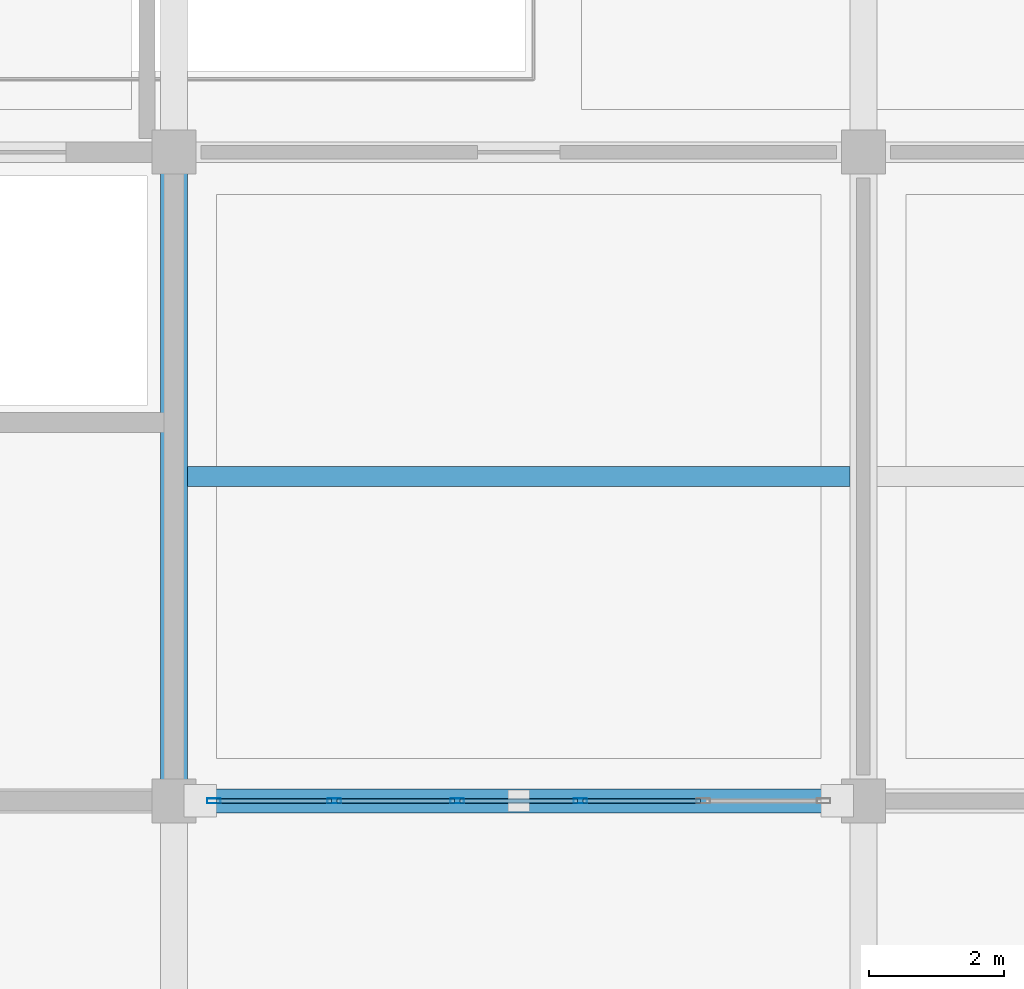
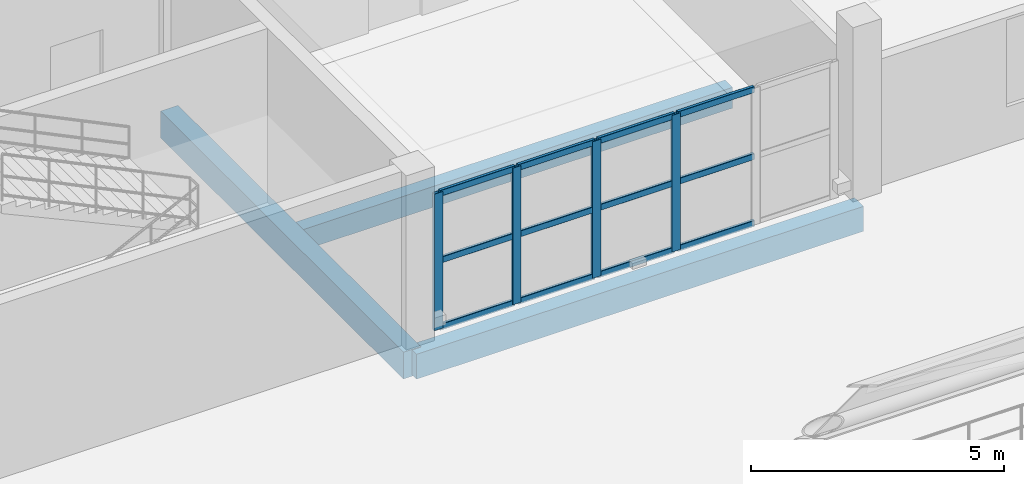
# One storey, part 34 of 135: 16 members, 3 beams, 1 element without a shape of its own.
"""IFC4 building model written with IfcOpenShell, lengths in metres."""

from ifc_helpers import new_model, si_unit, direction, frame, origin, origin_2d, place, context, subcontext, project, spatial, rectangle, hollow_rectangle, extrude, material, material_profile, profile_set, type_object, element, aggregate, save


model = new_model("IFC4")

# Units and contexts
model_context = context("Model", 3, precision=1e-05, world=origin(), true_north=direction((0.0, 1.0)))
body_context = subcontext(model_context, "Body", "Model", "MODEL_VIEW")
ifc_project = project(units=[si_unit("LENGTHUNIT", "METRE"), si_unit("AREAUNIT", "SQUARE_METRE"), si_unit("VOLUMEUNIT", "CUBIC_METRE"), si_unit("PLANEANGLEUNIT", "RADIAN"), si_unit("MASSUNIT", "GRAM", prefix="KILO")], contexts=[model_context])

# Site, building, storey
site_placement = place(None, origin())
site = spatial("IfcSite", under=ifc_project, at=site_placement, CompositionType="ELEMENT")
building_placement = place(site_placement, origin())
building = spatial("IfcBuilding", under=site, at=building_placement, Name="Brelvane Convention Centre", CompositionType="ELEMENT")
storey_placement = place(building_placement, frame((0.0, 0.0, 15.0)))
storey = spatial("IfcBuildingStorey", under=building, at=storey_placement, Name="L03", CompositionType="ELEMENT", Elevation=15.0)

# Curtain wall, members
ifc_material_1 = material(Name="Anodised Aluminium Alloy 6063-T6", Category="aluminium")
curtain_wall_type = type_object("IfcCurtainWallType", Name="Curtain Wall CW-COURT", PredefinedType="USERDEFINED", material=ifc_material_1)
curtain_wall_placement = place(storey_placement, origin())
curtain_wall = element("IfcCurtainWall", 1, at=curtain_wall_placement, inside=storey, type_object=curtain_wall_type, Name="Curtain Wall CW-COURT L03-V4S-05", ObjectType="UNITISED", PredefinedType="USERDEFINED")
ifc_material_2 = material(Name="Anodised Aluminium Alloy 6063-T6", Category="aluminium")
ifc_material_profile_1 = material_profile(ifc_material_2, hollow_rectangle(XDim=0.074951171875, YDim=0.199951171875, WallThickness=0.0048828125, InnerFilletRadius=0.0048828125, OuterFilletRadius=0.010009765625, at=origin_2d()), Name="ALU-M 200x75x5.0")
ifc_profile_set_1 = profile_set([ifc_material_profile_1], Name="Anodised Aluminium Alloy 6063-T6")
member_type_1 = type_object("IfcMemberType", Name="Curtain Mullion CW-M2", PredefinedType="MULLION", material=ifc_profile_set_1)
member_1_placement = place(storey_placement, frame((41.387451171875, 109.199951171875, 0.0), z_axis=(0.0, 0.0, 1.0), x_axis=(0.0, 1.0, 0.0)))
member_1 = element("IfcMember", 2, at=member_1_placement, type_object=member_type_1, Name="CW-COURT mullion 1", PredefinedType="MULLION", context=body_context, shape_type="SweptSolid", body=[
    extrude(hollow_rectangle(XDim=0.074951171875, YDim=0.199951171875, WallThickness=0.0048828125, InnerFilletRadius=0.0048828125, OuterFilletRadius=0.010009765625, at=origin_2d()), origin(), (0.0, 0.0, 1.0), 3.300048828125),
])
member_2_placement = place(storey_placement, frame((43.169921875, 109.199951171875, 0.0), z_axis=(0.0, 0.0, 1.0), x_axis=(0.0, 1.0, 0.0)))
member_2 = element("IfcMember", 3, at=member_2_placement, type_object=member_type_1, Name="CW-COURT mullion 2", PredefinedType="MULLION", context=body_context, shape_type="SweptSolid", body=[
    extrude(hollow_rectangle(XDim=0.074951171875, YDim=0.199951171875, WallThickness=0.0048828125, InnerFilletRadius=0.0048828125, OuterFilletRadius=0.010009765625, at=origin_2d()), origin(), (0.0, 0.0, 1.0), 3.300048828125),
])
member_3_placement = place(storey_placement, frame((44.989990234375, 109.199951171875, 0.0), z_axis=(0.0, 0.0, 1.0), x_axis=(0.0, 1.0, 0.0)))
member_3 = element("IfcMember", 4, at=member_3_placement, type_object=member_type_1, Name="CW-COURT mullion 3", PredefinedType="MULLION", context=body_context, shape_type="SweptSolid", body=[
    extrude(hollow_rectangle(XDim=0.074951171875, YDim=0.199951171875, WallThickness=0.0048828125, InnerFilletRadius=0.0048828125, OuterFilletRadius=0.010009765625, at=origin_2d()), origin(), (0.0, 0.0, 1.0), 3.300048828125),
])
member_4_placement = place(storey_placement, frame((46.81005859375, 109.199951171875, 0.0), z_axis=(0.0, 0.0, 1.0), x_axis=(0.0, 1.0, 0.0)))
member_4 = element("IfcMember", 5, at=member_4_placement, type_object=member_type_1, Name="CW-COURT mullion 4", PredefinedType="MULLION", context=body_context, shape_type="SweptSolid", body=[
    extrude(hollow_rectangle(XDim=0.074951171875, YDim=0.199951171875, WallThickness=0.0048828125, InnerFilletRadius=0.0048828125, OuterFilletRadius=0.010009765625, at=origin_2d()), origin(), (0.0, 0.0, 1.0), 3.300048828125),
])
ifc_material_3 = material(Name="Anodised Aluminium Alloy 6063-T6", Category="aluminium")
ifc_material_profile_2 = material_profile(ifc_material_3, hollow_rectangle(XDim=0.070068359375, YDim=0.14990234375, WallThickness=0.00439453125, InnerFilletRadius=0.00439453125, OuterFilletRadius=0.009033203125, at=origin_2d()), Name="ALU-T 150x70x4.5")
ifc_profile_set_2 = profile_set([ifc_material_profile_2], Name="Anodised Aluminium Alloy 6063-T6")
member_type_2 = type_object("IfcMemberType", Name="Curtain Transom CW-T2", PredefinedType="USERDEFINED", material=ifc_profile_set_2)
member_5_placement = place(storey_placement, frame((41.425048828125, 109.199951171875, 0.034912109375), z_axis=(1.0, 0.0, 0.0), x_axis=(0.0, 1.0, 0.0)))
member_5 = element("IfcMember", 6, at=member_5_placement, type_object=member_type_2, Name="CW-COURT transom 1.1", ObjectType="TRANSOM", PredefinedType="USERDEFINED", context=body_context, shape_type="SweptSolid", body=[
    extrude(hollow_rectangle(XDim=0.070068359375, YDim=0.14990234375, WallThickness=0.00439453125, InnerFilletRadius=0.00439453125, OuterFilletRadius=0.009033203125, at=origin_2d()), origin(), (0.0, 0.0, 1.0), 1.70751953125),
])
member_6_placement = place(storey_placement, frame((41.425048828125, 109.199951171875, 1.64990234375), z_axis=(1.0, 0.0, 0.0), x_axis=(0.0, 1.0, 0.0)))
member_6 = element("IfcMember", 7, at=member_6_placement, type_object=member_type_2, Name="CW-COURT transom 1.2", ObjectType="TRANSOM", PredefinedType="USERDEFINED", context=body_context, shape_type="SweptSolid", body=[
    extrude(hollow_rectangle(XDim=0.070068359375, YDim=0.14990234375, WallThickness=0.00439453125, InnerFilletRadius=0.00439453125, OuterFilletRadius=0.009033203125, at=origin_2d()), origin(), (0.0, 0.0, 1.0), 1.70751953125),
])
member_7_placement = place(storey_placement, frame((41.425048828125, 109.199951171875, 3.264892578125), z_axis=(1.0, 0.0, 0.0), x_axis=(0.0, 1.0, 0.0)))
member_7 = element("IfcMember", 8, at=member_7_placement, type_object=member_type_2, Name="CW-COURT transom 1.3", ObjectType="TRANSOM", PredefinedType="USERDEFINED", context=body_context, shape_type="SweptSolid", body=[
    extrude(hollow_rectangle(XDim=0.070068359375, YDim=0.14990234375, WallThickness=0.00439453125, InnerFilletRadius=0.00439453125, OuterFilletRadius=0.009033203125, at=origin_2d()), origin(), (0.0, 0.0, 1.0), 1.70751953125),
])
member_8_placement = place(storey_placement, frame((43.20751953125, 109.199951171875, 0.034912109375), z_axis=(1.0, 0.0, 0.0), x_axis=(0.0, 1.0, 0.0)))
member_8 = element("IfcMember", 9, at=member_8_placement, type_object=member_type_2, Name="CW-COURT transom 2.1", ObjectType="TRANSOM", PredefinedType="USERDEFINED", context=body_context, shape_type="SweptSolid", body=[
    extrude(hollow_rectangle(XDim=0.070068359375, YDim=0.14990234375, WallThickness=0.00439453125, InnerFilletRadius=0.00439453125, OuterFilletRadius=0.009033203125, at=origin_2d()), origin(), (0.0, 0.0, 1.0), 1.744873046875),
])
member_9_placement = place(storey_placement, frame((43.20751953125, 109.199951171875, 1.64990234375), z_axis=(1.0, 0.0, 0.0), x_axis=(0.0, 1.0, 0.0)))
member_9 = element("IfcMember", 10, at=member_9_placement, type_object=member_type_2, Name="CW-COURT transom 2.2", ObjectType="TRANSOM", PredefinedType="USERDEFINED", context=body_context, shape_type="SweptSolid", body=[
    extrude(hollow_rectangle(XDim=0.070068359375, YDim=0.14990234375, WallThickness=0.00439453125, InnerFilletRadius=0.00439453125, OuterFilletRadius=0.009033203125, at=origin_2d()), origin(), (0.0, 0.0, 1.0), 1.744873046875),
])
member_10_placement = place(storey_placement, frame((43.20751953125, 109.199951171875, 3.264892578125), z_axis=(1.0, 0.0, 0.0), x_axis=(0.0, 1.0, 0.0)))
member_10 = element("IfcMember", 11, at=member_10_placement, type_object=member_type_2, Name="CW-COURT transom 2.3", ObjectType="TRANSOM", PredefinedType="USERDEFINED", context=body_context, shape_type="SweptSolid", body=[
    extrude(hollow_rectangle(XDim=0.070068359375, YDim=0.14990234375, WallThickness=0.00439453125, InnerFilletRadius=0.00439453125, OuterFilletRadius=0.009033203125, at=origin_2d()), origin(), (0.0, 0.0, 1.0), 1.744873046875),
])
member_11_placement = place(storey_placement, frame((45.027587890625, 109.199951171875, 0.034912109375), z_axis=(1.0, 0.0, 0.0), x_axis=(0.0, 1.0, 0.0)))
member_11 = element("IfcMember", 12, at=member_11_placement, type_object=member_type_2, Name="CW-COURT transom 3.1", ObjectType="TRANSOM", PredefinedType="USERDEFINED", context=body_context, shape_type="SweptSolid", body=[
    extrude(hollow_rectangle(XDim=0.070068359375, YDim=0.14990234375, WallThickness=0.00439453125, InnerFilletRadius=0.00439453125, OuterFilletRadius=0.009033203125, at=origin_2d()), origin(), (0.0, 0.0, 1.0), 1.744873046875),
])
member_12_placement = place(storey_placement, frame((45.027587890625, 109.199951171875, 1.64990234375), z_axis=(1.0, 0.0, 0.0), x_axis=(0.0, 1.0, 0.0)))
member_12 = element("IfcMember", 13, at=member_12_placement, type_object=member_type_2, Name="CW-COURT transom 3.2", ObjectType="TRANSOM", PredefinedType="USERDEFINED", context=body_context, shape_type="SweptSolid", body=[
    extrude(hollow_rectangle(XDim=0.070068359375, YDim=0.14990234375, WallThickness=0.00439453125, InnerFilletRadius=0.00439453125, OuterFilletRadius=0.009033203125, at=origin_2d()), origin(), (0.0, 0.0, 1.0), 1.744873046875),
])
member_13_placement = place(storey_placement, frame((45.027587890625, 109.199951171875, 3.264892578125), z_axis=(1.0, 0.0, 0.0), x_axis=(0.0, 1.0, 0.0)))
member_13 = element("IfcMember", 14, at=member_13_placement, type_object=member_type_2, Name="CW-COURT transom 3.3", ObjectType="TRANSOM", PredefinedType="USERDEFINED", context=body_context, shape_type="SweptSolid", body=[
    extrude(hollow_rectangle(XDim=0.070068359375, YDim=0.14990234375, WallThickness=0.00439453125, InnerFilletRadius=0.00439453125, OuterFilletRadius=0.009033203125, at=origin_2d()), origin(), (0.0, 0.0, 1.0), 1.744873046875),
])
member_14_placement = place(storey_placement, frame((46.847412109375, 109.199951171875, 0.034912109375), z_axis=(1.0, 0.0, 0.0), x_axis=(0.0, 1.0, 0.0)))
member_14 = element("IfcMember", 15, at=member_14_placement, type_object=member_type_2, Name="CW-COURT transom 4.1", ObjectType="TRANSOM", PredefinedType="USERDEFINED", context=body_context, shape_type="SweptSolid", body=[
    extrude(hollow_rectangle(XDim=0.070068359375, YDim=0.14990234375, WallThickness=0.00439453125, InnerFilletRadius=0.00439453125, OuterFilletRadius=0.009033203125, at=origin_2d()), origin(), (0.0, 0.0, 1.0), 1.7451171875),
])
member_15_placement = place(storey_placement, frame((46.847412109375, 109.199951171875, 1.64990234375), z_axis=(1.0, 0.0, 0.0), x_axis=(0.0, 1.0, 0.0)))
member_15 = element("IfcMember", 16, at=member_15_placement, type_object=member_type_2, Name="CW-COURT transom 4.2", ObjectType="TRANSOM", PredefinedType="USERDEFINED", context=body_context, shape_type="SweptSolid", body=[
    extrude(hollow_rectangle(XDim=0.070068359375, YDim=0.14990234375, WallThickness=0.00439453125, InnerFilletRadius=0.00439453125, OuterFilletRadius=0.009033203125, at=origin_2d()), origin(), (0.0, 0.0, 1.0), 1.7451171875),
])
member_16_placement = place(storey_placement, frame((46.847412109375, 109.199951171875, 3.264892578125), z_axis=(1.0, 0.0, 0.0), x_axis=(0.0, 1.0, 0.0)))
member_16 = element("IfcMember", 17, at=member_16_placement, type_object=member_type_2, Name="CW-COURT transom 4.3", ObjectType="TRANSOM", PredefinedType="USERDEFINED", context=body_context, shape_type="SweptSolid", body=[
    extrude(hollow_rectangle(XDim=0.070068359375, YDim=0.14990234375, WallThickness=0.00439453125, InnerFilletRadius=0.00439453125, OuterFilletRadius=0.009033203125, at=origin_2d()), origin(), (0.0, 0.0, 1.0), 1.7451171875),
])
aggregate(curtain_wall, [member_1, member_2, member_3, member_4, member_5, member_6, member_7, member_8, member_9, member_10, member_11, member_12, member_13, member_14, member_15, member_16])

# Beams
ifc_material_4 = material(Name="Concrete M40", Category="concrete")
ifc_material_profile_3 = material_profile(ifc_material_4, rectangle(XDim=0.39990234375, YDim=0.64990234375, at=origin_2d()), Name="RC 400x650")
ifc_profile_set_3 = profile_set([ifc_material_profile_3], Name="Concrete M40")
beam_type_1 = type_object("IfcBeamType", Name="RC Beam B-RC7 (RC 400x650)", PredefinedType="BEAM", material=ifc_profile_set_3)
beam_1_placement = place(storey_placement, frame((40.800048828125, 109.199951171875, -0.6201171875), z_axis=(0.0, 1.0, 0.0), x_axis=(-1.0, 0.0, 0.0)))
element("IfcBeam", 18, at=beam_1_placement, inside=storey, type_object=beam_type_1, Name="L03 Girder 5/L-M", PredefinedType="BEAM", context=body_context, shape_type="SweptSolid", body=[
    extrude(rectangle(XDim=0.39990234375, YDim=0.64990234375, at=origin_2d()), origin(), (0.0, 0.0, 1.0), 9.60009765625),
])
ifc_material_5 = material(Name="Concrete M40", Category="concrete")
ifc_material_profile_4 = material_profile(ifc_material_5, rectangle(XDim=0.300048828125, YDim=0.5, at=origin_2d()), Name="RC 300x500")
ifc_profile_set_4 = profile_set([ifc_material_profile_4], Name="Concrete M40")
beam_type_2 = type_object("IfcBeamType", Name="RC Joist J-RC2 (RC 300x500)", PredefinedType="JOIST", material=ifc_profile_set_4)
beam_2_placement = place(storey_placement, frame((41.0, 114.0, -0.544921875), z_axis=(1.0, 0.0, 0.0), x_axis=(0.0, 1.0, 0.0)))
element("IfcBeam", 19, at=beam_2_placement, inside=storey, type_object=beam_type_2, Name="L03 Secondary Joist 5-6/LM", PredefinedType="JOIST", context=body_context, shape_type="SweptSolid", body=[
    extrude(rectangle(XDim=0.300048828125, YDim=0.5, at=origin_2d()), origin(), (0.0, 0.0, 1.0), 9.800048828125),
])
ifc_material_6 = material(Name="Concrete M40", Category="concrete")
ifc_material_profile_5 = material_profile(ifc_material_6, rectangle(XDim=0.35009765625, YDim=0.60009765625, at=origin_2d()), Name="RC 350x600")
ifc_profile_set_5 = profile_set([ifc_material_profile_5], Name="Concrete M40")
beam_type_3 = type_object("IfcBeamType", Name="RC Spandrel SP-RC2 (RC 350x600)", PredefinedType="SPANDREL", material=ifc_profile_set_5)
beam_3_placement = place(storey_placement, frame((40.800048828125, 109.199951171875, -0.610107421875), z_axis=(1.0, 0.0, 0.0), x_axis=(0.0, 1.0, 0.0)))
element("IfcBeam", 20, at=beam_3_placement, inside=storey, type_object=beam_type_3, Name="L03 Beam 5-6/L", PredefinedType="SPANDREL", context=body_context, shape_type="SweptSolid", body=[
    extrude(rectangle(XDim=0.35009765625, YDim=0.60009765625, at=origin_2d()), origin(), (0.0, 0.0, 1.0), 10.199951171875),
])

save(model, "model.ifc")
